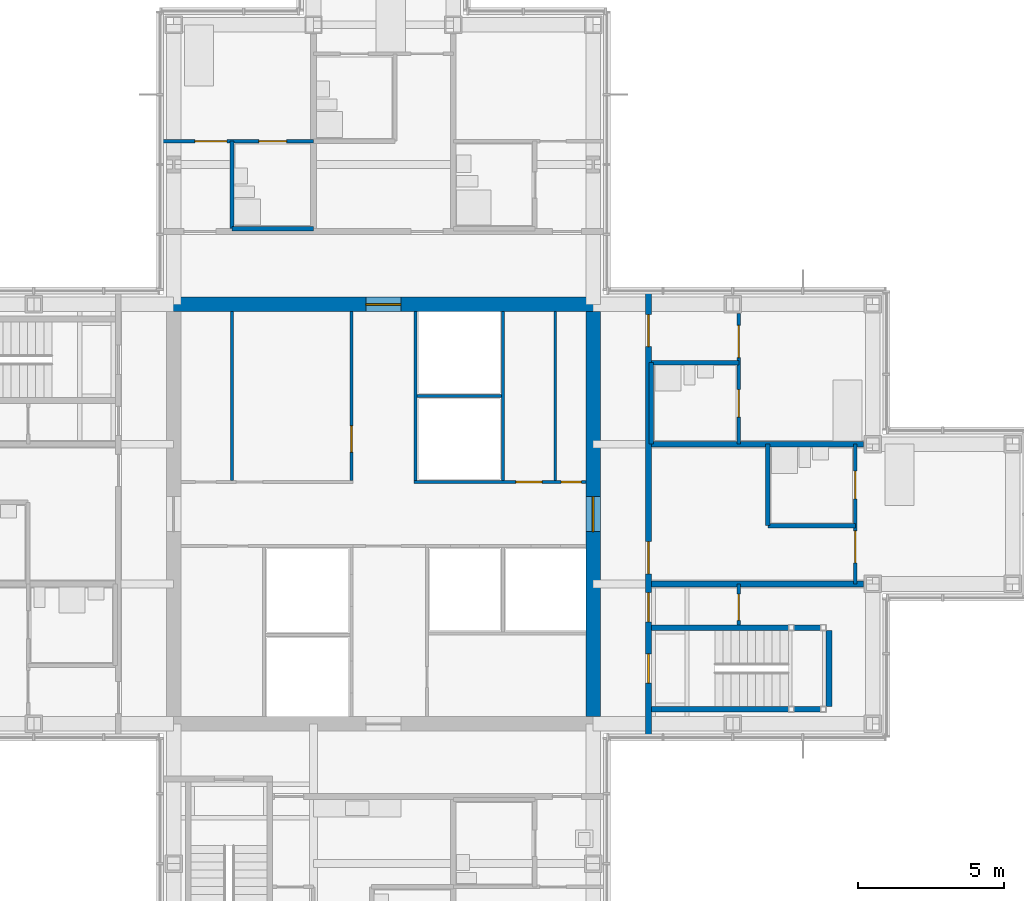
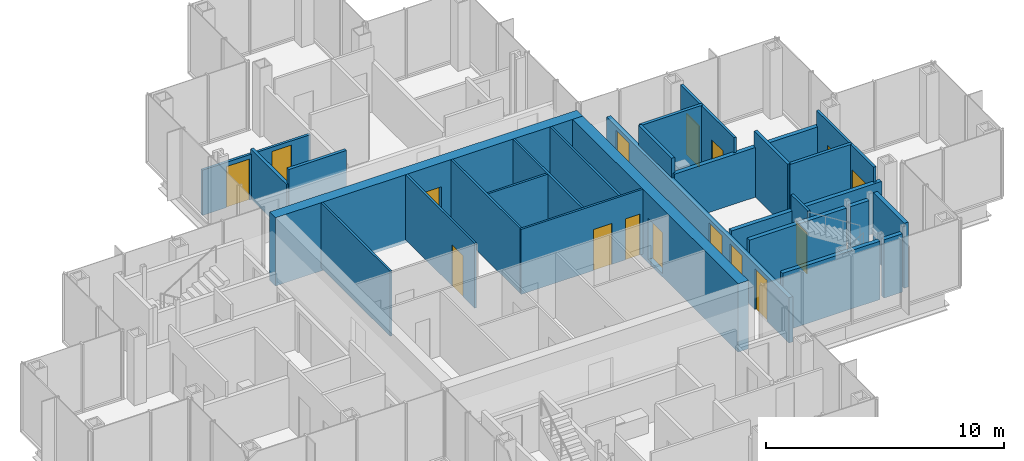
# One storey, part 13 of 17: 27 walls, 16 doors, 16 openings.
"""IFC4 building model written with IfcOpenShell, lengths in metres."""

from ifc_helpers import new_model, si_unit, direction, frame, frame_2d, origin, place, context, subcontext, project, spatial, rectangle, extrude, material, layer, layer_set, type_object, element, fill, save


model = new_model("IFC4")

# Units and contexts
model_context = context("Model", 3, precision=1e-05, world=origin(), true_north=direction((0.0, 1.0)))
body_context = subcontext(model_context, "Body", "Model", "MODEL_VIEW")
ifc_project = project(units=[si_unit("LENGTHUNIT", "METRE"), si_unit("AREAUNIT", "SQUARE_METRE"), si_unit("VOLUMEUNIT", "CUBIC_METRE"), si_unit("PLANEANGLEUNIT", "RADIAN"), si_unit("MASSUNIT", "GRAM", prefix="KILO")], contexts=[model_context])

# Site, building, storey
site_placement = place(None, origin())
site = spatial("IfcSite", under=ifc_project, at=site_placement, CompositionType="ELEMENT")
building_placement = place(site_placement, origin())
building = spatial("IfcBuilding", under=site, at=building_placement, Name="Kvirike Care Tower", CompositionType="ELEMENT")
storey_placement = place(building_placement, frame((0.0, 0.0, 144.5)))
storey = spatial("IfcBuildingStorey", under=building, at=storey_placement, Name="L39", CompositionType="ELEMENT", Elevation=144.5)

# Walls
ifc_material_1 = material(Name="Moisture-resistant board partition", Category="gypsum")
ifc_layer_1 = layer(ifc_material_1, 0.14990234375)
ifc_layer_set_1 = layer_set([ifc_layer_1], Name="BATHROOM WALL 150")
wall_type_1 = type_object("IfcWallType", Name="BATHROOM WALL 150", PredefinedType="PARTITIONING", material=ifc_layer_set_1)
wall_1_placement = place(storey_placement, frame((16.39990234375, 48.800048828125, 0.0), z_axis=(0.0, 0.0, 1.0), x_axis=(0.0, -1.0, 0.0)))
element("IfcWall", 1, at=wall_1_placement, inside=storey, type_object=wall_type_1, Name="Bathroom Wall 150 L39", PredefinedType="PARTITIONING", context=body_context, shape_type="SweptSolid", body=[
    extrude(rectangle(XDim=3.0, YDim=0.14990234375, at=frame_2d((1.5, 0.0))), origin(), (0.0, 0.0, 1.0), 2.550048828125),
])
wall_2_placement = place(storey_placement, frame((19.199951171875, 45.800048828125, 0.0), z_axis=(0.0, 0.0, 1.0), x_axis=(-1.0, 0.0, 0.0)))
element("IfcWall", 2, at=wall_2_placement, inside=storey, type_object=wall_type_1, Name="Bathroom Wall 150 L39", PredefinedType="PARTITIONING", context=body_context, shape_type="SweptSolid", body=[
    extrude(rectangle(XDim=2.800048828125, YDim=0.14990234375, at=frame_2d((1.39990234375, 0.0))), origin(), (0.0, 0.0, 1.0), 3.330078125),
])
wall_3_placement = place(storey_placement, frame((37.800048828125, 35.60009765625, 0.0), z_axis=(0.0, 0.0, 1.0), x_axis=(-1.0, 0.0, 0.0)))
element("IfcWall", 3, at=wall_3_placement, inside=storey, type_object=wall_type_1, Name="Bathroom Wall 150 L39", PredefinedType="PARTITIONING", context=body_context, shape_type="SweptSolid", body=[
    extrude(rectangle(XDim=3.0, YDim=0.14990234375, at=frame_2d((1.5, 0.0))), origin(), (0.0, 0.0, 1.0), 3.330078125),
])
wall_4_placement = place(storey_placement, frame((34.800048828125, 35.60009765625, 0.0), z_axis=(0.0, 0.0, 1.0), x_axis=(0.0, 1.0, 0.0)))
element("IfcWall", 4, at=wall_4_placement, inside=storey, type_object=wall_type_1, Name="Bathroom Wall 150 L39", PredefinedType="PARTITIONING", context=body_context, shape_type="SweptSolid", body=[
    extrude(rectangle(XDim=2.7998046875, YDim=0.14990234375, at=frame_2d((1.39990234375, 0.0))), origin(), (0.0, 0.0, 1.0), 3.330078125),
])
wall_5_placement = place(storey_placement, frame((33.800048828125, 41.199951171875, 0.0), z_axis=(0.0, 0.0, 1.0), x_axis=(-1.0, 0.0, 0.0)))
element("IfcWall", 5, at=wall_5_placement, inside=storey, type_object=wall_type_1, Name="Bathroom Wall 150 L39", PredefinedType="PARTITIONING", context=body_context, shape_type="SweptSolid", body=[
    extrude(rectangle(XDim=3.0, YDim=0.14990234375, at=frame_2d((1.5, 0.0))), origin(), (0.0, 0.0, 1.0), 3.330078125),
])
wall_6_placement = place(storey_placement, frame((30.800048828125, 38.39990234375, 0.0), z_axis=(0.0, 0.0, 1.0), x_axis=(0.0, 1.0, 0.0)))
element("IfcWall", 6, at=wall_6_placement, inside=storey, type_object=wall_type_1, Name="Bathroom Wall 150 L39", PredefinedType="PARTITIONING", context=body_context, shape_type="SweptSolid", body=[
    extrude(rectangle(XDim=2.800048828125, YDim=0.14990234375, at=frame_2d((1.39990234375, 0.0))), origin(), (0.0, 0.0, 1.0), 3.330078125),
])

# Wall, opening, door
ifc_material_2 = material(Name="Concrete C45/55", Category="concrete")
ifc_layer_2 = layer(ifc_material_2, 0.5)
ifc_layer_set_2 = layer_set([ifc_layer_2], Name="CORE WALL 500 C45-55")
wall_type_2 = type_object("IfcWallType", Name="CORE WALL 500 C45-55", PredefinedType="SHEAR", material=ifc_layer_set_2)
wall_7_placement = place(storey_placement, frame((29.050048828125, 43.199951171875, -0.169921875), z_axis=(0.0, 0.0, 1.0), x_axis=(-1.0, 0.0, 0.0)))
wall_7 = element("IfcWall", 7, at=wall_7_placement, inside=storey, type_object=wall_type_2, Name="Core wall N L39", PredefinedType="SHEAR", context=body_context, shape_type="SweptSolid", body=[
    extrude(rectangle(XDim=14.900146484375, YDim=0.5, at=frame_2d((7.4501953125, 0.0))), origin(), (0.0, 0.0, 1.0), 3.5),
])
opening_1_placement = place(wall_7_placement, frame((6.85009765625, 0.0, 0.169921875)))
opening_1 = element("IfcOpeningElement", 8, at=opening_1_placement, cuts=wall_7, Name="Opening 39-050", PredefinedType="OPENING", context=body_context, shape_type="SweptSolid", body=[
    extrude(rectangle(XDim=1.199951171875, YDim=2.10009765625, at=frame_2d((0.60009765625, 1.050048828125))), frame((0.0, 0.260498046875, 0.0), z_axis=(0.0, -1.0, 0.0), x_axis=(1.0, 0.0, 0.0)), (0.0, 0.0, 1.0), 0.52099609375),
])
ifc_material_3 = material(Name="Timber door set", Category="wood")
door_type_1 = type_object("IfcDoorType", Name="CORE DOOR 1200", OperationType="SINGLE_SWING_LEFT", PredefinedType="DOOR", material=ifc_material_3)
door_1_placement = place(opening_1_placement, origin())
door_1 = element("IfcDoor", 9, at=door_1_placement, inside=storey, type_object=door_type_1, Name="Core door N L39", OperationType="SINGLE_SWING_LEFT", OverallHeight=2.10009765625, OverallWidth=1.199951171875, PredefinedType="DOOR", context=body_context, shape_type="SweptSolid", body=[
    extrude(rectangle(XDim=1.199951171875, YDim=2.10009765625, at=frame_2d((0.60009765625, 1.050048828125))), frame((0.0, 0.02685546875, 0.0), z_axis=(0.0, -1.0, 0.0), x_axis=(1.0, 0.0, 0.0)), (0.0, 0.0, 1.0), 0.053955078125),
])
fill(opening_1, door_1)

wall_8_placement = place(storey_placement, frame((28.800048828125, 29.050048828125, -0.169921875), z_axis=(0.0, 0.0, 1.0), x_axis=(0.0, 1.0, 0.0)))
wall_8 = element("IfcWall", 10, at=wall_8_placement, inside=storey, type_object=wall_type_2, Name="Core wall E L39", PredefinedType="SHEAR", context=body_context, shape_type="SweptSolid", body=[
    extrude(rectangle(XDim=13.89990234375, YDim=0.5, at=frame_2d((6.949951171875, 0.0))), origin(), (0.0, 0.0, 1.0), 3.5),
])
opening_2_placement = place(wall_8_placement, frame((6.35009765625, 0.0, 0.169921875)))
opening_2 = element("IfcOpeningElement", 11, at=opening_2_placement, cuts=wall_8, Name="Opening 39-049", PredefinedType="OPENING", context=body_context, shape_type="SweptSolid", body=[
    extrude(rectangle(XDim=1.199951171875, YDim=2.10009765625, at=frame_2d((0.60009765625, 1.050048828125))), frame((0.0, 0.260498046875, 0.0), z_axis=(0.0, -1.0, 0.0), x_axis=(1.0, 0.0, 0.0)), (0.0, 0.0, 1.0), 0.52099609375),
])
door_2_placement = place(opening_2_placement, origin())
door_2 = element("IfcDoor", 12, at=door_2_placement, inside=storey, type_object=door_type_1, Name="Core door E L39", OperationType="SINGLE_SWING_LEFT", OverallHeight=2.10009765625, OverallWidth=1.199951171875, PredefinedType="DOOR", context=body_context, shape_type="SweptSolid", body=[
    extrude(rectangle(XDim=1.199951171875, YDim=2.10009765625, at=frame_2d((0.60009765625, 1.050048828125))), frame((0.0, 0.02685546875, 0.0), z_axis=(0.0, -1.0, 0.0), x_axis=(1.0, 0.0, 0.0)), (0.0, 0.0, 1.0), 0.053955078125),
])
fill(opening_2, door_2)

# Wall, openings, doors
ifc_material_4 = material(Name="Plasterboard corridor wall", Category="gypsum")
ifc_layer_3 = layer(ifc_material_4, 0.199951171875)
ifc_layer_set_3 = layer_set([ifc_layer_3], Name="CORRIDOR WALL 200")
wall_type_3 = type_object("IfcWallType", Name="CORRIDOR WALL 200", PredefinedType="PARTITIONING", material=ifc_layer_set_3)
wall_9_placement = place(storey_placement, frame((30.699951171875, 28.35009765625, 0.0), z_axis=(0.0, 0.0, 1.0), x_axis=(0.0, 1.0, 0.0)))
wall_9 = element("IfcWall", 13, at=wall_9_placement, inside=storey, type_object=wall_type_3, Name="Corridor Wall 200 L39", PredefinedType="PARTITIONING", context=body_context, shape_type="SweptSolid", body=[
    extrude(rectangle(XDim=15.2998046875, YDim=0.199951171875, at=frame_2d((7.64990234375, 0.0))), origin(), (0.0, 0.0, 1.0), 2.320068359375),
])
opening_3_placement = place(wall_9_placement, frame((1.85009765625, 0.0, 0.0)))
opening_3 = element("IfcOpeningElement", 14, at=opening_3_placement, cuts=wall_9, Name="Opening 39-031", PredefinedType="OPENING", context=body_context, shape_type="SweptSolid", body=[
    extrude(rectangle(XDim=1.0, YDim=2.10009765625, at=frame_2d((0.5, 1.050048828125))), frame((0.0, 0.110595703125, 0.0), z_axis=(0.0, -1.0, 0.0), x_axis=(1.0, 0.0, 0.0)), (0.0, 0.0, 1.0), 0.220947265625),
])
opening_4_placement = place(wall_9_placement, frame((3.949951171875, 0.0, 0.0)))
opening_4 = element("IfcOpeningElement", 15, at=opening_4_placement, cuts=wall_9, Name="Opening 39-032", PredefinedType="OPENING", context=body_context, shape_type="SweptSolid", body=[
    extrude(rectangle(XDim=1.0, YDim=2.10009765625, at=frame_2d((0.5, 1.050048828125))), frame((0.0, 0.110595703125, 0.0), z_axis=(0.0, -1.0, 0.0), x_axis=(1.0, 0.0, 0.0)), (0.0, 0.0, 1.0), 0.220947265625),
])
opening_5_placement = place(wall_9_placement, frame((5.60009765625, 0.0, 0.0)))
opening_5 = element("IfcOpeningElement", 16, at=opening_5_placement, cuts=wall_9, Name="Opening 39-033", PredefinedType="OPENING", context=body_context, shape_type="SweptSolid", body=[
    extrude(rectangle(XDim=1.10009765625, YDim=2.10009765625, at=frame_2d((0.550048828125, 1.050048828125))), frame((0.0, 0.110595703125, 0.0), z_axis=(0.0, -1.0, 0.0), x_axis=(1.0, 0.0, 0.0)), (0.0, 0.0, 1.0), 0.220947265625),
])
opening_6_placement = place(wall_9_placement, frame((13.39990234375, 0.0, 0.0)))
opening_6 = element("IfcOpeningElement", 17, at=opening_6_placement, cuts=wall_9, Name="Opening 39-034", PredefinedType="OPENING", context=body_context, shape_type="SweptSolid", body=[
    extrude(rectangle(XDim=1.10009765625, YDim=2.10009765625, at=frame_2d((0.550048828125, 1.050048828125))), frame((0.0, 0.110595703125, 0.0), z_axis=(0.0, -1.0, 0.0), x_axis=(1.0, 0.0, 0.0)), (0.0, 0.0, 1.0), 0.220947265625),
])
ifc_material_5 = material(Name="Timber door set", Category="wood")
door_type_2 = type_object("IfcDoorType", Name="BEDROOM ENTRANCE DOOR 1100", OperationType="SINGLE_SWING_LEFT", PredefinedType="DOOR", material=ifc_material_5)
door_3_placement = place(opening_5_placement, frame((1.10009765625, 0.0, 0.0), z_axis=(0.0, 0.0, 1.0), x_axis=(-1.0, 0.0, 0.0)))
door_3 = element("IfcDoor", 18, at=door_3_placement, inside=storey, type_object=door_type_2, Name="Memory care bedroom entrance", OperationType="SINGLE_SWING_LEFT", OverallHeight=2.10009765625, OverallWidth=1.10009765625, PredefinedType="DOOR", context=body_context, shape_type="SweptSolid", body=[
    extrude(rectangle(XDim=1.10009765625, YDim=2.10009765625, at=frame_2d((0.550048828125, 1.050048828125))), frame((0.0, 0.02685546875, 0.0), z_axis=(0.0, -1.0, 0.0), x_axis=(1.0, 0.0, 0.0)), (0.0, 0.0, 1.0), 0.053955078125),
])
fill(opening_5, door_3)
door_4_placement = place(opening_6_placement, frame((1.10009765625, 0.0, 0.0), z_axis=(0.0, 0.0, 1.0), x_axis=(-1.0, 0.0, 0.0)))
door_4 = element("IfcDoor", 19, at=door_4_placement, inside=storey, type_object=door_type_2, Name="Memory care bedroom entrance", OperationType="SINGLE_SWING_RIGHT", OverallHeight=2.10009765625, OverallWidth=1.10009765625, PredefinedType="DOOR", context=body_context, shape_type="SweptSolid", body=[
    extrude(rectangle(XDim=1.10009765625, YDim=2.10009765625, at=frame_2d((0.550048828125, 1.050048828125))), frame((0.0, 0.02685546875, 0.0), z_axis=(0.0, -1.0, 0.0), x_axis=(1.0, 0.0, 0.0)), (0.0, 0.0, 1.0), 0.053955078125),
])
fill(opening_6, door_4)
ifc_material_6 = material(Name="Timber door set", Category="wood")
door_type_3 = type_object("IfcDoorType", Name="FLAT ENTRANCE DOOR 1000", OperationType="SINGLE_SWING_LEFT", PredefinedType="DOOR", material=ifc_material_6)
door_5_placement = place(opening_4_placement, frame((1.0, 0.0, 0.0), z_axis=(0.0, 0.0, 1.0), x_axis=(-1.0, 0.0, 0.0)))
door_5 = element("IfcDoor", 20, at=door_5_placement, inside=storey, type_object=door_type_3, Name="Activity room entrance", OperationType="SINGLE_SWING_LEFT", OverallHeight=2.10009765625, OverallWidth=1.0, PredefinedType="DOOR", context=body_context, shape_type="SweptSolid", body=[
    extrude(rectangle(XDim=1.0, YDim=2.10009765625, at=frame_2d((0.5, 1.050048828125))), frame((0.0, 0.02685546875, 0.0), z_axis=(0.0, -1.0, 0.0), x_axis=(1.0, 0.0, 0.0)), (0.0, 0.0, 1.0), 0.053955078125),
])
fill(opening_4, door_5)
ifc_material_7 = material(Name="Timber door set", Category="wood")
door_type_4 = type_object("IfcDoorType", Name="STAIR DOOR 1000", OperationType="SINGLE_SWING_LEFT", PredefinedType="DOOR", material=ifc_material_7)
door_6_placement = place(opening_3_placement, frame((1.0, 0.0, 0.0), z_axis=(0.0, 0.0, 1.0), x_axis=(-1.0, 0.0, 0.0)))
door_6 = element("IfcDoor", 21, at=door_6_placement, inside=storey, type_object=door_type_4, Name="Stair 2 door", OperationType="SINGLE_SWING_RIGHT", OverallHeight=2.10009765625, OverallWidth=1.0, PredefinedType="DOOR", context=body_context, shape_type="SweptSolid", body=[
    extrude(rectangle(XDim=1.0, YDim=2.10009765625, at=frame_2d((0.5, 1.050048828125))), frame((0.0, 0.031982421875, 0.0), z_axis=(0.0, -1.0, 0.0), x_axis=(1.0, 0.0, 0.0)), (0.0, 0.0, 1.0), 0.06396484375),
])
fill(opening_3, door_6)

ifc_material_8 = material(Name="Plasterboard partition", Category="gypsum")
ifc_layer_4 = layer(ifc_material_8, 0.1201171875)
ifc_layer_set_4 = layer_set([ifc_layer_4], Name="PARTITION 120")
wall_type_4 = type_object("IfcWallType", Name="PARTITION 120", PredefinedType="PARTITIONING", material=ifc_layer_set_4)
wall_10_placement = place(storey_placement, frame((19.199951171875, 48.800048828125, 0.0), z_axis=(0.0, 0.0, 1.0), x_axis=(-1.0, 0.0, 0.0)))
wall_10 = element("IfcWall", 22, at=wall_10_placement, inside=storey, type_object=wall_type_4, Name="Partition 120 L39", PredefinedType="PARTITIONING", context=body_context, shape_type="SweptSolid", body=[
    extrude(rectangle(XDim=5.25, YDim=0.1201171875, at=frame_2d((2.625, 0.0))), origin(), (0.0, 0.0, 1.0), 2.320068359375),
])
opening_7_placement = place(wall_10_placement, frame((2.97509765625, 0.0, 0.0)))
opening_7 = element("IfcOpeningElement", 23, at=opening_7_placement, cuts=wall_10, Name="Opening 39-021", PredefinedType="OPENING", context=body_context, shape_type="SweptSolid", body=[
    extrude(rectangle(XDim=1.10009765625, YDim=2.10009765625, at=frame_2d((0.550048828125, 1.050048828125))), frame((0.0, 0.070556640625, 0.0), z_axis=(0.0, -1.0, 0.0), x_axis=(1.0, 0.0, 0.0)), (0.0, 0.0, 1.0), 0.14111328125),
])
opening_8_placement = place(wall_10_placement, frame((0.925048828125, 0.0, 0.0)))
opening_8 = element("IfcOpeningElement", 24, at=opening_8_placement, cuts=wall_10, Name="Opening 39-022", PredefinedType="OPENING", context=body_context, shape_type="SweptSolid", body=[
    extrude(rectangle(XDim=0.949951171875, YDim=2.10009765625, at=frame_2d((0.47509765625, 1.050048828125))), frame((0.0, 0.070556640625, 0.0), z_axis=(0.0, -1.0, 0.0), x_axis=(1.0, 0.0, 0.0)), (0.0, 0.0, 1.0), 0.14111328125),
])
ifc_material_9 = material(Name="Timber door set", Category="wood")
door_type_5 = type_object("IfcDoorType", Name="BEDROOM DOOR 1100", OperationType="SINGLE_SWING_LEFT", PredefinedType="DOOR", material=ifc_material_9)
door_7_placement = place(opening_7_placement, origin())
door_7 = element("IfcDoor", 25, at=door_7_placement, inside=storey, type_object=door_type_5, Name="Memory care bedroom door", OperationType="SINGLE_SWING_RIGHT", OverallHeight=2.10009765625, OverallWidth=1.10009765625, PredefinedType="DOOR", context=body_context, shape_type="SweptSolid", body=[
    extrude(rectangle(XDim=1.10009765625, YDim=2.10009765625, at=frame_2d((0.550048828125, 1.050048828125))), frame((0.0, 0.02197265625, 0.0), z_axis=(0.0, -1.0, 0.0), x_axis=(1.0, 0.0, 0.0)), (0.0, 0.0, 1.0), 0.0439453125),
])
fill(opening_7, door_7)
ifc_material_10 = material(Name="Timber door set", Category="wood")
door_type_6 = type_object("IfcDoorType", Name="EN-SUITE SLIDING DOOR 950", OperationType="SLIDING_TO_LEFT", PredefinedType="DOOR", material=ifc_material_10)
door_8_placement = place(opening_8_placement, origin())
door_8 = element("IfcDoor", 26, at=door_8_placement, inside=storey, type_object=door_type_6, Name="En-suite door", OperationType="SLIDING_TO_RIGHT", OverallHeight=2.10009765625, OverallWidth=0.949951171875, PredefinedType="DOOR", context=body_context, shape_type="SweptSolid", body=[
    extrude(rectangle(XDim=0.949951171875, YDim=2.10009765625, at=frame_2d((0.47509765625, 1.050048828125))), frame((0.0, 0.02197265625, 0.0), z_axis=(0.0, -1.0, 0.0), x_axis=(1.0, 0.0, 0.0)), (0.0, 0.0, 1.0), 0.0439453125),
])
fill(opening_8, door_8)

# Wall, opening, door
wall_11_placement = place(storey_placement, frame((33.800048828125, 32.199951171875, 0.0), z_axis=(0.0, 0.0, 1.0), x_axis=(0.0, 1.0, 0.0)))
wall_11 = element("IfcWall", 27, at=wall_11_placement, inside=storey, type_object=wall_type_4, Name="Partition 120 L39", PredefinedType="PARTITIONING", context=body_context, shape_type="SweptSolid", body=[
    extrude(rectangle(XDim=1.400146484375, YDim=0.1201171875, at=frame_2d((0.7001953125, 0.0))), origin(), (0.0, 0.0, 1.0), 3.330078125),
])
opening_9_placement = place(wall_11_placement, frame((0.14990234375, 0.0, 0.0)))
opening_9 = element("IfcOpeningElement", 28, at=opening_9_placement, cuts=wall_11, Name="Opening 39-026", PredefinedType="OPENING", context=body_context, shape_type="SweptSolid", body=[
    extrude(rectangle(XDim=0.89990234375, YDim=2.10009765625, at=frame_2d((0.449951171875, 1.050048828125))), frame((0.0, 0.070556640625, 0.0), z_axis=(0.0, -1.0, 0.0), x_axis=(1.0, 0.0, 0.0)), (0.0, 0.0, 1.0), 0.14111328125),
])
ifc_material_11 = material(Name="Timber door set", Category="wood")
door_type_7 = type_object("IfcDoorType", Name="INTERNAL DOOR 900", OperationType="SINGLE_SWING_LEFT", PredefinedType="DOOR", material=ifc_material_11)
door_9_placement = place(opening_9_placement, origin())
door_9 = element("IfcDoor", 29, at=door_9_placement, inside=storey, type_object=door_type_7, Name="Activity room door", OperationType="SINGLE_SWING_RIGHT", OverallHeight=2.10009765625, OverallWidth=0.89990234375, PredefinedType="DOOR", context=body_context, shape_type="SweptSolid", body=[
    extrude(rectangle(XDim=0.89990234375, YDim=2.10009765625, at=frame_2d((0.449951171875, 1.050048828125))), frame((0.0, 0.02197265625, 0.0), z_axis=(0.0, -1.0, 0.0), x_axis=(1.0, 0.0, 0.0)), (0.0, 0.0, 1.0), 0.0439453125),
])
fill(opening_9, door_9)

# Wall, openings, doors
wall_12_placement = place(storey_placement, frame((37.800048828125, 33.60009765625, 0.0), z_axis=(0.0, 0.0, 1.0), x_axis=(0.0, 1.0, 0.0)))
wall_12 = element("IfcWall", 30, at=wall_12_placement, inside=storey, type_object=wall_type_4, Name="Partition 120 L39", PredefinedType="PARTITIONING", context=body_context, shape_type="SweptSolid", body=[
    extrude(rectangle(XDim=4.7998046875, YDim=0.1201171875, at=frame_2d((2.39990234375, 0.0))), origin(), (0.0, 0.0, 1.0), 3.330078125),
])
opening_10_placement = place(wall_12_placement, frame((0.72509765625, 0.0, 0.0)))
opening_10 = element("IfcOpeningElement", 31, at=opening_10_placement, cuts=wall_12, Name="Opening 39-027", PredefinedType="OPENING", context=body_context, shape_type="SweptSolid", body=[
    extrude(rectangle(XDim=1.10009765625, YDim=2.10009765625, at=frame_2d((0.550048828125, 1.050048828125))), frame((0.0, 0.070556640625, 0.0), z_axis=(0.0, -1.0, 0.0), x_axis=(1.0, 0.0, 0.0)), (0.0, 0.0, 1.0), 0.14111328125),
])
opening_11_placement = place(wall_12_placement, frame((2.925048828125, 0.0, 0.0)))
opening_11 = element("IfcOpeningElement", 32, at=opening_11_placement, cuts=wall_12, Name="Opening 39-028", PredefinedType="OPENING", context=body_context, shape_type="SweptSolid", body=[
    extrude(rectangle(XDim=0.949951171875, YDim=2.10009765625, at=frame_2d((0.47509765625, 1.050048828125))), frame((0.0, 0.070556640625, 0.0), z_axis=(0.0, -1.0, 0.0), x_axis=(1.0, 0.0, 0.0)), (0.0, 0.0, 1.0), 0.14111328125),
])
door_10_placement = place(opening_10_placement, origin())
door_10 = element("IfcDoor", 33, at=door_10_placement, inside=storey, type_object=door_type_5, Name="Memory care bedroom door", OperationType="SINGLE_SWING_LEFT", OverallHeight=2.10009765625, OverallWidth=1.10009765625, PredefinedType="DOOR", context=body_context, shape_type="SweptSolid", body=[
    extrude(rectangle(XDim=1.10009765625, YDim=2.10009765625, at=frame_2d((0.550048828125, 1.050048828125))), frame((0.0, 0.02197265625, 0.0), z_axis=(0.0, -1.0, 0.0), x_axis=(1.0, 0.0, 0.0)), (0.0, 0.0, 1.0), 0.0439453125),
])
fill(opening_10, door_10)
door_11_placement = place(opening_11_placement, origin())
door_11 = element("IfcDoor", 34, at=door_11_placement, inside=storey, type_object=door_type_6, Name="En-suite door", OperationType="SLIDING_TO_RIGHT", OverallHeight=2.10009765625, OverallWidth=0.949951171875, PredefinedType="DOOR", context=body_context, shape_type="SweptSolid", body=[
    extrude(rectangle(XDim=0.949951171875, YDim=2.10009765625, at=frame_2d((0.47509765625, 1.050048828125))), frame((0.0, 0.02197265625, 0.0), z_axis=(0.0, -1.0, 0.0), x_axis=(1.0, 0.0, 0.0)), (0.0, 0.0, 1.0), 0.0439453125),
])
fill(opening_11, door_11)

wall_13_placement = place(storey_placement, frame((33.800048828125, 38.39990234375, 0.0), z_axis=(0.0, 0.0, 1.0), x_axis=(0.0, 1.0, 0.0)))
wall_13 = element("IfcWall", 35, at=wall_13_placement, inside=storey, type_object=wall_type_4, Name="Partition 120 L39", PredefinedType="PARTITIONING", context=body_context, shape_type="SweptSolid", body=[
    extrude(rectangle(XDim=4.47998046875, YDim=0.1201171875, at=frame_2d((2.239990234375, 0.0))), origin(), (0.0, 0.0, 1.0), 3.330078125),
])
opening_12_placement = place(wall_13_placement, frame((2.97509765625, 0.0, 0.0)))
opening_12 = element("IfcOpeningElement", 36, at=opening_12_placement, cuts=wall_13, Name="Opening 39-029", PredefinedType="OPENING", context=body_context, shape_type="SweptSolid", body=[
    extrude(rectangle(XDim=1.10009765625, YDim=2.10009765625, at=frame_2d((0.550048828125, 1.050048828125))), frame((0.0, 0.070556640625, 0.0), z_axis=(0.0, -1.0, 0.0), x_axis=(1.0, 0.0, 0.0)), (0.0, 0.0, 1.0), 0.14111328125),
])
opening_13_placement = place(wall_13_placement, frame((0.925048828125, 0.0, 0.0)))
opening_13 = element("IfcOpeningElement", 37, at=opening_13_placement, cuts=wall_13, Name="Opening 39-030", PredefinedType="OPENING", context=body_context, shape_type="SweptSolid", body=[
    extrude(rectangle(XDim=0.949951171875, YDim=2.10009765625, at=frame_2d((0.47509765625, 1.050048828125))), frame((0.0, 0.070556640625, 0.0), z_axis=(0.0, -1.0, 0.0), x_axis=(1.0, 0.0, 0.0)), (0.0, 0.0, 1.0), 0.14111328125),
])
door_12_placement = place(opening_12_placement, origin())
door_12 = element("IfcDoor", 38, at=door_12_placement, inside=storey, type_object=door_type_5, Name="Memory care bedroom door", OperationType="SINGLE_SWING_RIGHT", OverallHeight=2.10009765625, OverallWidth=1.10009765625, PredefinedType="DOOR", context=body_context, shape_type="SweptSolid", body=[
    extrude(rectangle(XDim=1.10009765625, YDim=2.10009765625, at=frame_2d((0.550048828125, 1.050048828125))), frame((0.0, 0.02197265625, 0.0), z_axis=(0.0, -1.0, 0.0), x_axis=(1.0, 0.0, 0.0)), (0.0, 0.0, 1.0), 0.0439453125),
])
fill(opening_12, door_12)
door_13_placement = place(opening_13_placement, origin())
door_13 = element("IfcDoor", 39, at=door_13_placement, inside=storey, type_object=door_type_6, Name="En-suite door", OperationType="SLIDING_TO_RIGHT", OverallHeight=2.10009765625, OverallWidth=0.949951171875, PredefinedType="DOOR", context=body_context, shape_type="SweptSolid", body=[
    extrude(rectangle(XDim=0.949951171875, YDim=2.10009765625, at=frame_2d((0.47509765625, 1.050048828125))), frame((0.0, 0.02197265625, 0.0), z_axis=(0.0, -1.0, 0.0), x_axis=(1.0, 0.0, 0.0)), (0.0, 0.0, 1.0), 0.0439453125),
])
fill(opening_13, door_13)

# Walls
ifc_material_12 = material(Name="Plasterboard party wall", Category="gypsum")
ifc_layer_5 = layer(ifc_material_12, 0.199951171875)
ifc_layer_set_5 = layer_set([ifc_layer_5], Name="PARTY WALL 200")
wall_type_5 = type_object("IfcWallType", Name="PARTY WALL 200", PredefinedType="PARTITIONING", material=ifc_layer_set_5)
for number, where, z_axis, x_axis, name in (
    (40, (38.080078125, 33.60009765625, 0.0), (0.0, 0.0, 1.0), (-1.0, 0.0, 0.0), "Party Wall 200 L39"),
    (41, (38.080078125, 38.39990234375, 0.0), (0.0, 0.0, 1.0), (-1.0, 0.0, 0.0), "Party Wall 200 L39"),
):
    element("IfcWall", number, at=place(storey_placement, frame(where, z_axis=z_axis, x_axis=x_axis)), inside=storey, type_object=wall_type_5, Name=name, PredefinedType="PARTITIONING", context=body_context, shape_type="SweptSolid", body=[
        extrude(rectangle(XDim=7.280029296875, YDim=0.199951171875, at=frame_2d((3.64013671875, 0.0))), origin(), (0.0, 0.0, 1.0), 2.550048828125),
    ])
ifc_material_13 = material(Name="Gypsum shaft wall system", Category="gypsum")
ifc_layer_6 = layer(ifc_material_13, 0.10009765625)
ifc_layer_set_6 = layer_set([ifc_layer_6], Name="SHAFT WALL 100")
wall_type_6 = type_object("IfcWallType", Name="SHAFT WALL 100", PredefinedType="SOLIDWALL", material=ifc_layer_set_6)
for number, where, z_axis, x_axis, name in (
    (42, (16.39990234375, 37.14990234375, 0.0), (0.0, 0.0, 1.0), (0.0, 1.0, 0.0), "Shaft Wall 100 L39"),
    (43, (27.5, 37.14990234375, 0.0), (0.0, 0.0, 1.0), (0.0, 1.0, 0.0), "Shaft Wall 100 L39"),
):
    element("IfcWall", number, at=place(storey_placement, frame(where, z_axis=z_axis, x_axis=x_axis)), inside=storey, type_object=wall_type_6, Name=name, PredefinedType="SOLIDWALL", context=body_context, shape_type="SweptSolid", body=[
        extrude(rectangle(XDim=5.800048828125, YDim=0.10009765625, at=frame_2d((2.89990234375, 0.0))), origin(), (0.0, 0.0, 1.0), 3.330078125),
    ])

# Wall, opening, door
wall_14_placement = place(storey_placement, frame((20.5, 37.14990234375, 0.0), z_axis=(0.0, 0.0, 1.0), x_axis=(0.0, 1.0, 0.0)))
wall_14 = element("IfcWall", 44, at=wall_14_placement, inside=storey, type_object=wall_type_6, Name="Shaft Wall 100 L39", PredefinedType="SOLIDWALL", context=body_context, shape_type="SweptSolid", body=[
    extrude(rectangle(XDim=5.800048828125, YDim=0.10009765625, at=frame_2d((2.89990234375, 0.0))), origin(), (0.0, 0.0, 1.0), 3.330078125),
])
opening_14_placement = place(wall_14_placement, frame((0.97509765625, 0.0, 0.0)))
opening_14 = element("IfcOpeningElement", 45, at=opening_14_placement, cuts=wall_14, Name="Opening 39-037", PredefinedType="OPENING", context=body_context, shape_type="SweptSolid", body=[
    extrude(rectangle(XDim=0.89990234375, YDim=2.10009765625, at=frame_2d((0.449951171875, 1.050048828125))), frame((0.0, 0.060546875, 0.0), z_axis=(0.0, -1.0, 0.0), x_axis=(1.0, 0.0, 0.0)), (0.0, 0.0, 1.0), 0.12109375),
])
ifc_material_14 = material(Name="Timber door set", Category="wood")
door_type_8 = type_object("IfcDoorType", Name="STORE DOOR 900", OperationType="SINGLE_SWING_LEFT", PredefinedType="DOOR", material=ifc_material_14)
door_14_placement = place(opening_14_placement, origin())
door_14 = element("IfcDoor", 46, at=door_14_placement, inside=storey, type_object=door_type_8, Name="Housekeeping office door", OperationType="SINGLE_SWING_RIGHT", OverallHeight=2.10009765625, OverallWidth=0.89990234375, PredefinedType="DOOR", context=body_context, shape_type="SweptSolid", body=[
    extrude(rectangle(XDim=0.89990234375, YDim=2.10009765625, at=frame_2d((0.449951171875, 1.050048828125))), frame((0.0, 0.02685546875, 0.0), z_axis=(0.0, -1.0, 0.0), x_axis=(1.0, 0.0, 0.0)), (0.0, 0.0, 1.0), 0.053955078125),
])
fill(opening_14, door_14)

# Wall
wall_15_placement = place(storey_placement, frame((22.699951171875, 37.14990234375, 0.0), z_axis=(0.0, 0.0, 1.0), x_axis=(0.0, 1.0, 0.0)))
element("IfcWall", 47, at=wall_15_placement, inside=storey, type_object=wall_type_6, Name="Shaft Wall 100 L39", PredefinedType="SOLIDWALL", context=body_context, shape_type="SweptSolid", body=[
    extrude(rectangle(XDim=5.800048828125, YDim=0.10009765625, at=frame_2d((2.89990234375, 0.0))), origin(), (0.0, 0.0, 1.0), 3.330078125),
])

# Wall, openings, doors
wall_16_placement = place(storey_placement, frame((22.64990234375, 37.10009765625, 0.0), z_axis=(0.0, 0.0, 1.0), x_axis=(1.0, 0.0, 0.0)))
wall_16 = element("IfcWall", 48, at=wall_16_placement, inside=storey, type_object=wall_type_6, Name="Shaft Wall 100 L39", PredefinedType="SOLIDWALL", context=body_context, shape_type="SweptSolid", body=[
    extrude(rectangle(XDim=5.900146484375, YDim=0.10009765625, at=frame_2d((2.9501953125, 0.0))), origin(), (0.0, 0.0, 1.0), 3.330078125),
])
opening_15_placement = place(wall_16_placement, frame((3.5, 0.0, 0.0)))
opening_15 = element("IfcOpeningElement", 49, at=opening_15_placement, cuts=wall_16, Name="Opening 39-044", PredefinedType="OPENING", context=body_context, shape_type="SweptSolid", body=[
    extrude(rectangle(XDim=0.89990234375, YDim=2.10009765625, at=frame_2d((0.449951171875, 1.050048828125))), frame((0.0, 0.060546875, 0.0), z_axis=(0.0, -1.0, 0.0), x_axis=(1.0, 0.0, 0.0)), (0.0, 0.0, 1.0), 0.12109375),
])
opening_16_placement = place(wall_16_placement, frame((5.050048828125, 0.0, 0.0)))
opening_16 = element("IfcOpeningElement", 50, at=opening_16_placement, cuts=wall_16, Name="Opening 39-045", PredefinedType="OPENING", context=body_context, shape_type="SweptSolid", body=[
    extrude(rectangle(XDim=0.699951171875, YDim=2.10009765625, at=frame_2d((0.35009765625, 1.050048828125))), frame((0.0, 0.060546875, 0.0), z_axis=(0.0, -1.0, 0.0), x_axis=(1.0, 0.0, 0.0)), (0.0, 0.0, 1.0), 0.12109375),
])
ifc_material_15 = material(Name="Timber door set", Category="wood")
door_type_9 = type_object("IfcDoorType", Name="RISER DOOR 700", OperationType="SINGLE_SWING_LEFT", PredefinedType="DOOR", material=ifc_material_15)
door_15_placement = place(opening_16_placement, origin())
door_15 = element("IfcDoor", 51, at=door_15_placement, inside=storey, type_object=door_type_9, Name="Riser door", OperationType="SINGLE_SWING_RIGHT", OverallHeight=2.10009765625, OverallWidth=0.699951171875, PredefinedType="DOOR", context=body_context, shape_type="SweptSolid", body=[
    extrude(rectangle(XDim=0.699951171875, YDim=2.10009765625, at=frame_2d((0.35009765625, 1.050048828125))), frame((0.0, 0.02685546875, 0.0), z_axis=(0.0, -1.0, 0.0), x_axis=(1.0, 0.0, 0.0)), (0.0, 0.0, 1.0), 0.053955078125),
])
fill(opening_16, door_15)
door_16_placement = place(opening_15_placement, origin())
door_16 = element("IfcDoor", 52, at=door_16_placement, inside=storey, type_object=door_type_8, Name="Records store door", OperationType="SINGLE_SWING_LEFT", OverallHeight=2.10009765625, OverallWidth=0.89990234375, PredefinedType="DOOR", context=body_context, shape_type="SweptSolid", body=[
    extrude(rectangle(XDim=0.89990234375, YDim=2.10009765625, at=frame_2d((0.449951171875, 1.050048828125))), frame((0.0, 0.02685546875, 0.0), z_axis=(0.0, -1.0, 0.0), x_axis=(1.0, 0.0, 0.0)), (0.0, 0.0, 1.0), 0.053955078125),
])
fill(opening_15, door_16)

# Walls
wall_17_placement = place(storey_placement, frame((22.75, 40.050048828125, 0.0), z_axis=(0.0, 0.0, 1.0), x_axis=(1.0, 0.0, 0.0)))
element("IfcWall", 53, at=wall_17_placement, inside=storey, type_object=wall_type_6, Name="Shaft Wall 100 L39", PredefinedType="SOLIDWALL", context=body_context, shape_type="SweptSolid", body=[
    extrude(rectangle(XDim=2.89990234375, YDim=0.10009765625, at=frame_2d((1.449951171875, 0.0))), origin(), (0.0, 0.0, 1.0), 3.330078125),
])
wall_18_placement = place(storey_placement, frame((25.699951171875, 37.14990234375, 0.0), z_axis=(0.0, 0.0, 1.0), x_axis=(0.0, 1.0, 0.0)))
element("IfcWall", 54, at=wall_18_placement, inside=storey, type_object=wall_type_6, Name="Shaft Wall 100 L39", PredefinedType="SOLIDWALL", context=body_context, shape_type="SweptSolid", body=[
    extrude(rectangle(XDim=5.800048828125, YDim=0.10009765625, at=frame_2d((2.89990234375, 0.0))), origin(), (0.0, 0.0, 1.0), 3.330078125),
])
ifc_material_16 = material(Name="Concrete C40/50", Category="concrete")
ifc_layer_7 = layer(ifc_material_16, 0.199951171875)
ifc_layer_set_7 = layer_set([ifc_layer_7], Name="STAIR WALL 200")
wall_type_7 = type_object("IfcWallType", Name="STAIR WALL 200", PredefinedType="SOLIDWALL", material=ifc_layer_set_7)
wall_19_placement = place(storey_placement, frame((36.60009765625, 29.300048828125, 0.0), z_axis=(0.0, 0.0, 1.0), x_axis=(-1.0, 0.0, 0.0)))
element("IfcWall", 55, at=wall_19_placement, inside=storey, type_object=wall_type_7, Name="Stair Wall 200 L39", PredefinedType="SOLIDWALL", context=body_context, shape_type="SweptSolid", body=[
    extrude(rectangle(XDim=0.900146484375, YDim=0.199951171875, at=frame_2d((0.4501953125, 0.0))), origin(), (0.0, 0.0, 1.0), 2.989990234375),
])
wall_20_placement = place(storey_placement, frame((35.5, 29.300048828125, 0.0), z_axis=(0.0, 0.0, 1.0), x_axis=(-1.0, 0.0, 0.0)))
element("IfcWall", 56, at=wall_20_placement, inside=storey, type_object=wall_type_7, Name="Stair Wall 200 L39", PredefinedType="SOLIDWALL", context=body_context, shape_type="SweptSolid", body=[
    extrude(rectangle(XDim=4.699951171875, YDim=0.199951171875, at=frame_2d((2.35009765625, 0.0))), origin(), (0.0, 0.0, 1.0), 2.989990234375),
])
wall_21_placement = place(storey_placement, frame((36.60009765625, 32.10009765625, 0.0), z_axis=(0.0, 0.0, 1.0), x_axis=(-1.0, 0.0, 0.0)))
element("IfcWall", 57, at=wall_21_placement, inside=storey, type_object=wall_type_7, Name="Stair Wall 200 L39", PredefinedType="SOLIDWALL", context=body_context, shape_type="SweptSolid", body=[
    extrude(rectangle(XDim=0.900146484375, YDim=0.199951171875, at=frame_2d((0.4501953125, 0.0))), origin(), (0.0, 0.0, 1.0), 2.989990234375),
])
wall_22_placement = place(storey_placement, frame((35.5, 32.10009765625, 0.0), z_axis=(0.0, 0.0, 1.0), x_axis=(-1.0, 0.0, 0.0)))
element("IfcWall", 58, at=wall_22_placement, inside=storey, type_object=wall_type_7, Name="Stair Wall 200 L39", PredefinedType="SOLIDWALL", context=body_context, shape_type="SweptSolid", body=[
    extrude(rectangle(XDim=4.699951171875, YDim=0.199951171875, at=frame_2d((2.35009765625, 0.0))), origin(), (0.0, 0.0, 1.0), 2.989990234375),
])
wall_23_placement = place(storey_placement, frame((36.89990234375, 29.39990234375, 0.0), z_axis=(0.0, 0.0, 1.0), x_axis=(0.0, 1.0, 0.0)))
element("IfcWall", 59, at=wall_23_placement, inside=storey, type_object=wall_type_7, Name="Stair Wall 200 L39", PredefinedType="SOLIDWALL", context=body_context, shape_type="SweptSolid", body=[
    extrude(rectangle(XDim=2.60009765625, YDim=0.199951171875, at=frame_2d((1.300048828125, 0.0))), origin(), (0.0, 0.0, 1.0), 3.330078125),
])

save(model, "model.ifc")
